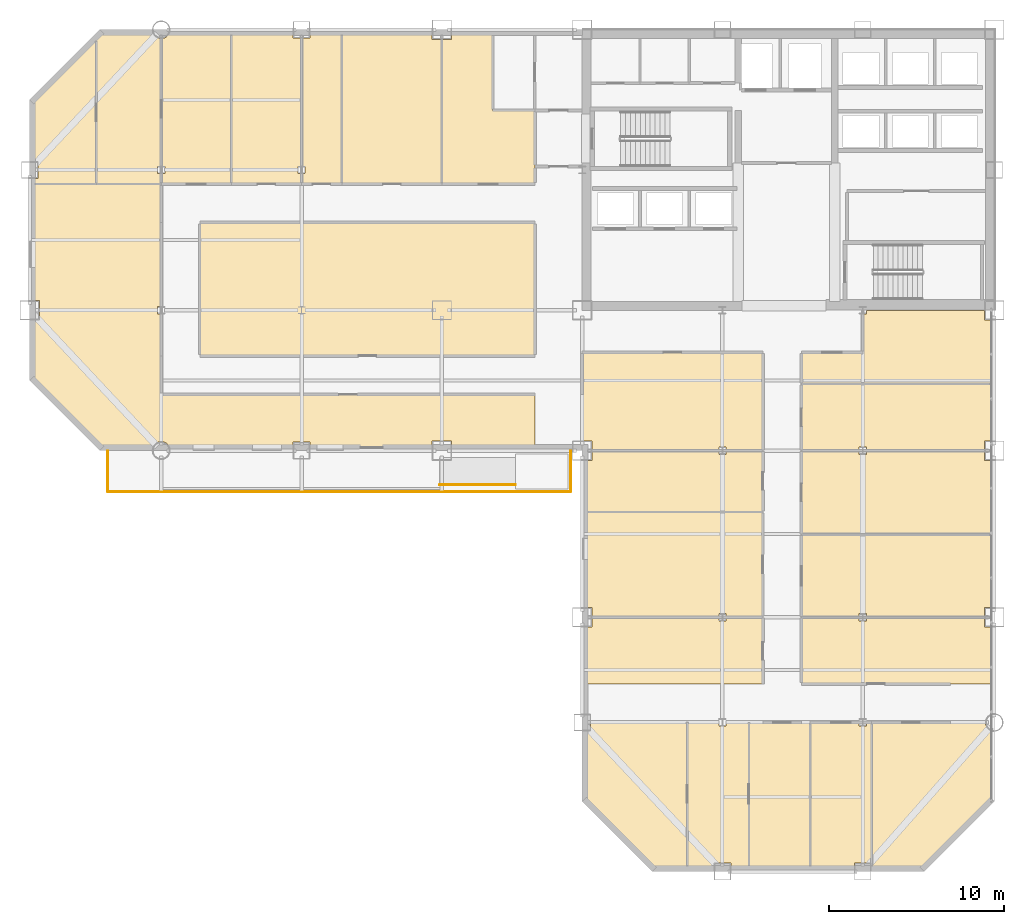
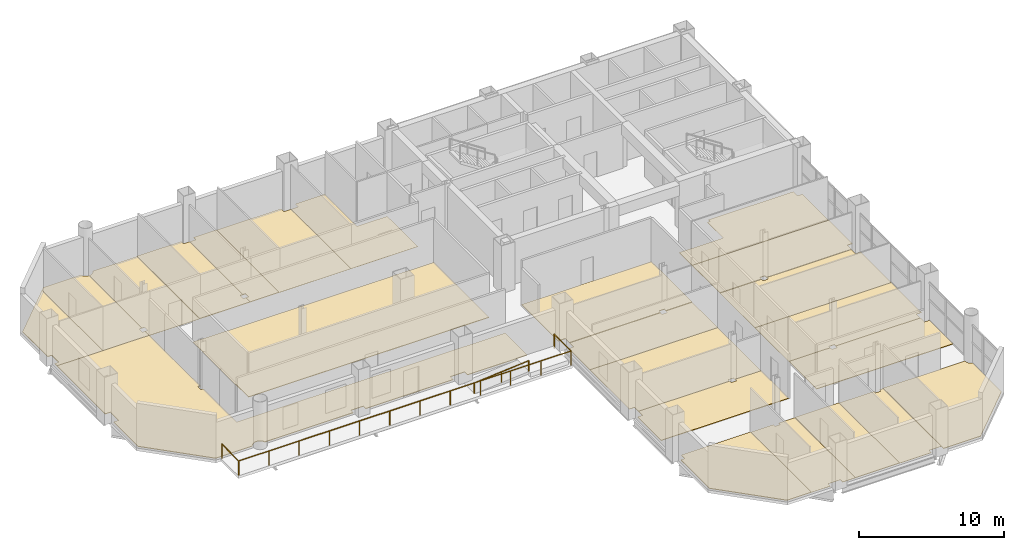
# One storey, part 15 of 16: 23 coverings, 2 railings.
"""IFC4 building model written with IfcOpenShell, lengths in metres."""

from ifc_helpers import new_model, si_unit, direction, frame, origin, origin_2d, place, context, subcontext, project, spatial, polyline, circle, outline, extrude, material, layer, layer_set, type_object, element, save


model = new_model("IFC4")

# Units and contexts
model_context = context("Model", 3, precision=1e-05, world=origin(), true_north=direction((0.0, 1.0)))
body_context = subcontext(model_context, "Body", "Model", "MODEL_VIEW")
ifc_project = project(units=[si_unit("LENGTHUNIT", "METRE"), si_unit("AREAUNIT", "SQUARE_METRE"), si_unit("VOLUMEUNIT", "CUBIC_METRE"), si_unit("PLANEANGLEUNIT", "RADIAN"), si_unit("MASSUNIT", "GRAM", prefix="KILO")], contexts=[model_context])

# Site, building, storey
site_placement = place(None, origin())
site = spatial("IfcSite", under=ifc_project, at=site_placement, CompositionType="ELEMENT")
building_placement = place(site_placement, origin())
building = spatial("IfcBuilding", under=site, at=building_placement, Name="Qianrong Seaharbour Tower", CompositionType="ELEMENT")
storey_placement = place(building_placement, frame((0.0, 0.0, 123.0)))
storey = spatial("IfcBuildingStorey", under=building, at=storey_placement, Name="L29", CompositionType="ELEMENT", Elevation=123.0)

# Coverings
ifc_material_1 = material(Name="Acoustic modular carpet tile flooring")
ifc_layer_1 = layer(ifc_material_1, 0.02001953125)
ifc_layer_set_1 = layer_set([ifc_layer_1], Name="Acoustic modular carpet tile flooring")
covering_type_1 = type_object("IfcCoveringType", Name="COV-FLOOR-CARPET-20", PredefinedType="FLOORING", material=ifc_layer_set_1)
covering_1_placement = place(storey_placement, origin())
element("IfcCovering", 1, at=covering_1_placement, inside=storey, type_object=covering_type_1, Name="L29 Focus Room 2 Finish Flooring", PredefinedType="FLOORING", context=body_context, shape_type="SweptSolid", body=[
    extrude(outline(polyline([(12.800048828125, 51.566650390625), (13.068359375, 51.8349609375), (16.019775390625, 51.8349609375), (16.02880859375, 51.8046875), (16.075927734375, 51.716796875), (16.139404296875, 51.639404296875), (16.216796875, 51.575927734375), (16.3046875, 51.52880859375), (16.400390625, 51.499755859375), (16.5, 51.489990234375), (16.5, 44.2099609375), (16.2900390625, 44.2099609375), (16.2900390625, 43.7900390625), (16.5, 43.7900390625), (16.5, 43.199951171875), (12.800048828125, 43.199951171875), (12.800048828125, 51.566650390625)])), origin(), (0.0, 0.0, 1.0), 0.02001953125),
])
covering_2_placement = place(storey_placement, origin())
element("IfcCovering", 2, at=covering_2_placement, inside=storey, type_object=covering_type_1, Name="L29 Meeting Room 3 Finish Flooring", PredefinedType="FLOORING", context=body_context, shape_type="SweptSolid", body=[
    extrude(outline(polyline([(16.5, 43.7900390625), (16.7099609375, 43.7900390625), (16.7099609375, 44.2099609375), (16.5, 44.2099609375), (16.5, 51.489990234375), (16.599609375, 51.499755859375), (16.6953125, 51.52880859375), (16.783203125, 51.575927734375), (16.860595703125, 51.639404296875), (16.924072265625, 51.716796875), (16.97119140625, 51.8046875), (16.980224609375, 51.8349609375), (20.5, 51.8349609375), (20.5, 43.199951171875), (16.5, 43.199951171875), (16.5, 43.7900390625)])), origin(), (0.0, 0.0, 1.0), 0.02001953125),
])
covering_3_placement = place(storey_placement, origin())
element("IfcCovering", 3, at=covering_3_placement, inside=storey, type_object=covering_type_1, Name="L29 Focus Room 6 Finish Flooring", PredefinedType="FLOORING", context=body_context, shape_type="SweptSolid", body=[
    extrude(outline(polyline([(26.800048828125, 51.8349609375), (31.93994140625, 51.8349609375), (31.93994140625, 51.43994140625), (32.5, 51.43994140625), (32.5, 43.199951171875), (26.800048828125, 43.199951171875), (26.800048828125, 51.8349609375)])), origin(), (0.0, 0.0, 1.0), 0.02001953125),
])
covering_4_placement = place(storey_placement, origin())
element("IfcCovering", 4, at=covering_4_placement, inside=storey, type_object=covering_type_1, Name="L29 Meeting Room 7 Finish Flooring", PredefinedType="FLOORING", context=body_context, shape_type="SweptSolid", body=[
    extrude(outline(polyline([(32.5, 51.43994140625), (33.06005859375, 51.43994140625), (33.06005859375, 51.8349609375), (35.39990234375, 51.8349609375), (35.39990234375, 47.39990234375), (37.800048828125, 47.39990234375), (37.800048828125, 43.199951171875), (32.5, 43.199951171875), (32.5, 51.43994140625)])), origin(), (0.0, 0.0, 1.0), 0.02001953125),
])
covering_5_placement = place(storey_placement, origin())
element("IfcCovering", 5, at=covering_5_placement, inside=storey, type_object=covering_type_1, Name="L29 Boardroom 2 Finish Flooring", PredefinedType="FLOORING", context=body_context, shape_type="SweptSolid", body=[
    extrude(outline(polyline([(63.8349609375, 23.199951171875), (63.8349609375, 19.06005859375), (63.43994140625, 19.06005859375), (63.43994140625, 18.5), (56.7099609375, 18.5), (56.7099609375, 18.7099609375), (56.2900390625, 18.7099609375), (56.2900390625, 18.5), (53.0, 18.5), (53.0, 23.199951171875), (63.8349609375, 23.199951171875)])), origin(), (0.0, 0.0, 1.0), 0.02001953125),
])
covering_6_placement = place(storey_placement, origin())
element("IfcCovering", 6, at=covering_6_placement, inside=storey, type_object=covering_type_1, Name="L29 Focus Room 3 Finish Flooring", PredefinedType="FLOORING", context=body_context, shape_type="SweptSolid", body=[
    extrude(outline(polyline([(56.2900390625, 28.0), (56.2900390625, 27.7900390625), (56.7099609375, 27.7900390625), (56.7099609375, 28.0), (63.43994140625, 28.0), (63.43994140625, 27.43994140625), (63.8349609375, 27.43994140625), (63.8349609375, 23.199951171875), (53.0, 23.199951171875), (53.0, 28.0), (56.2900390625, 28.0)])), origin(), (0.0, 0.0, 1.0), 0.02001953125),
])
covering_7_placement = place(storey_placement, origin())
element("IfcCovering", 7, at=covering_7_placement, inside=storey, type_object=covering_type_1, Name="L29 Boardroom 5 Finish Flooring", PredefinedType="FLOORING", context=body_context, shape_type="SweptSolid", body=[
    extrude(outline(polyline([(56.5, 33.60009765625), (56.5, 35.7900390625), (56.7099609375, 35.7900390625), (56.7099609375, 36.0), (63.43994140625, 36.0), (63.43994140625, 35.43994140625), (63.8349609375, 35.43994140625), (63.8349609375, 31.800048828125), (53.0, 31.800048828125), (53.0, 33.60009765625), (56.5, 33.60009765625)])), origin(), (0.0, 0.0, 1.0), 0.02001953125),
])
covering_8_placement = place(storey_placement, origin())
element("IfcCovering", 8, at=covering_8_placement, inside=storey, type_object=covering_type_1, Name="L29 Wet Pantry 2 Finish Flooring", PredefinedType="FLOORING", context=body_context, shape_type="SweptSolid", body=[
    extrude(outline(polyline([(48.7099609375, 18.5), (48.7099609375, 18.7099609375), (48.2900390625, 18.7099609375), (48.2900390625, 18.5), (41.06005859375, 18.5), (41.06005859375, 19.06005859375), (40.6650390625, 19.06005859375), (40.6650390625, 24.5), (50.800048828125, 24.5), (50.800048828125, 18.5), (48.7099609375, 18.5)])), origin(), (0.0, 0.0, 1.0), 0.02001953125),
])
covering_9_placement = place(storey_placement, origin())
element("IfcCovering", 9, at=covering_9_placement, inside=storey, type_object=covering_type_1, Name="L29 Focus Room 3 Finish Flooring", PredefinedType="FLOORING", context=body_context, shape_type="SweptSolid", body=[
    extrude(outline(polyline([(40.6650390625, 24.5), (40.6650390625, 27.43994140625), (41.06005859375, 27.43994140625), (41.06005859375, 28.0), (48.2900390625, 28.0), (48.2900390625, 27.7900390625), (48.7099609375, 27.7900390625), (48.7099609375, 28.0), (50.800048828125, 28.0), (50.800048828125, 24.5), (40.6650390625, 24.5)])), origin(), (0.0, 0.0, 1.0), 0.02001953125),
])
covering_10_placement = place(storey_placement, origin())
element("IfcCovering", 10, at=covering_10_placement, inside=storey, type_object=covering_type_1, Name="L29 Meeting Room 2 Finish Flooring", PredefinedType="FLOORING", context=body_context, shape_type="SweptSolid", body=[
    extrude(outline(polyline([(50.0, 4.1650390625), (48.985107421875, 4.1650390625), (48.985107421875, 4.485107421875), (48.014892578125, 4.485107421875), (48.014892578125, 4.1650390625), (46.5, 4.1650390625), (46.5, 12.5), (48.2900390625, 12.5), (48.2900390625, 12.2900390625), (48.7099609375, 12.2900390625), (48.7099609375, 12.5), (50.0, 12.5), (50.0, 4.1650390625)])), origin(), (0.0, 0.0, 1.0), 0.02001953125),
])
covering_11_placement = place(storey_placement, origin())
element("IfcCovering", 11, at=covering_11_placement, inside=storey, type_object=covering_type_1, Name="L29 Meeting Room 4 Finish Flooring", PredefinedType="FLOORING", context=body_context, shape_type="SweptSolid", body=[
    extrude(outline(polyline([(57.0, 4.485107421875), (56.014892578125, 4.485107421875), (56.014892578125, 4.1650390625), (53.5, 4.1650390625), (53.5, 12.5), (56.2900390625, 12.5), (56.2900390625, 12.2900390625), (56.7099609375, 12.2900390625), (56.7099609375, 12.5), (57.0, 12.5), (57.0, 4.485107421875)])), origin(), (0.0, 0.0, 1.0), 0.02001953125),
])
ifc_material_2 = material(Name="Calcium-sulphate raised access floor tile")
ifc_layer_2 = layer(ifc_material_2, 0.044921875)
ifc_layer_set_2 = layer_set([ifc_layer_2], Name="Calcium-sulphate raised access floor tile")
covering_type_2 = type_object("IfcCoveringType", Name="COV-FLOOR-RAISED-45", PredefinedType="FLOORING", material=ifc_layer_set_2)
covering_12_placement = place(storey_placement, origin())
element("IfcCovering", 12, at=covering_12_placement, inside=storey, type_object=covering_type_2, Name="L29 Open-Plan Office Finish Flooring", PredefinedType="FLOORING", context=body_context, shape_type="SweptSolid", body=[
    extrude(outline(polyline([(33.06005859375, 28.1650390625), (33.06005859375, 28.56005859375), (31.93994140625, 28.56005859375), (31.93994140625, 28.1650390625), (24.985107421875, 28.1650390625), (24.985107421875, 28.485107421875), (24.014892578125, 28.485107421875), (24.014892578125, 28.1650390625), (16.980224609375, 28.1650390625), (16.97119140625, 28.1953125), (16.924072265625, 28.283203125), (16.860595703125, 28.360595703125), (16.783203125, 28.424072265625), (16.6953125, 28.47119140625), (16.599609375, 28.500244140625), (16.5, 28.510009765625), (16.400390625, 28.500244140625), (16.3046875, 28.47119140625), (16.216796875, 28.424072265625), (16.139404296875, 28.360595703125), (16.075927734375, 28.283203125), (16.02880859375, 28.1953125), (16.019775390625, 28.1650390625), (13.068359375, 28.1650390625), (9.1650390625, 32.068359375), (9.1650390625, 35.43994140625), (9.56005859375, 35.43994140625), (9.56005859375, 36.56005859375), (9.1650390625, 36.56005859375), (9.1650390625, 43.199951171875), (16.5, 43.199951171875), (16.5, 36.2099609375), (16.2900390625, 36.2099609375), (16.2900390625, 35.7900390625), (16.5, 35.7900390625), (16.5, 31.199951171875), (37.800048828125, 31.199951171875), (37.800048828125, 28.1650390625), (33.06005859375, 28.1650390625)])), origin(), (0.0, 0.0, 1.0), 0.044921875),
])
covering_13_placement = place(storey_placement, origin())
element("IfcCovering", 13, at=covering_13_placement, inside=storey, type_object=covering_type_2, Name="L29 West Wing Open-Plan Office Finish Flooring", PredefinedType="FLOORING", context=body_context, shape_type="SweptSolid", body=[
    extrude(outline(polyline([(37.800048828125, 41.0), (37.800048828125, 33.39990234375), (18.699951171875, 33.39990234375), (18.699951171875, 41.0), (37.800048828125, 41.0)])), origin(), (0.0, 0.0, 1.0), 0.044921875),
])
covering_14_placement = place(storey_placement, origin())
element("IfcCovering", 14, at=covering_14_placement, inside=storey, type_object=covering_type_2, Name="L29 Executive Office 1 Finish Flooring", PredefinedType="FLOORING", context=body_context, shape_type="SweptSolid", body=[
    extrude(outline(polyline([(9.1650390625, 43.514892578125), (9.485107421875, 43.514892578125), (9.485107421875, 44.485107421875), (9.1650390625, 44.485107421875), (9.1650390625, 47.931640625), (12.800048828125, 51.566650390625), (12.800048828125, 43.199951171875), (9.1650390625, 43.199951171875), (9.1650390625, 43.514892578125)])), origin(), (0.0, 0.0, 1.0), 0.044921875),
])
covering_15_placement = place(storey_placement, origin())
element("IfcCovering", 15, at=covering_15_placement, inside=storey, type_object=covering_type_2, Name="L29 Executive Office 4 Finish Flooring", PredefinedType="FLOORING", context=body_context, shape_type="SweptSolid", body=[
    extrude(outline(polyline([(20.5, 51.8349609375), (24.014892578125, 51.8349609375), (24.014892578125, 51.514892578125), (24.5, 51.514892578125), (24.5, 44.2099609375), (24.2900390625, 44.2099609375), (24.2900390625, 43.7900390625), (24.5, 43.7900390625), (24.5, 43.199951171875), (20.5, 43.199951171875), (20.5, 51.8349609375)])), origin(), (0.0, 0.0, 1.0), 0.044921875),
])
covering_16_placement = place(storey_placement, origin())
element("IfcCovering", 16, at=covering_16_placement, inside=storey, type_object=covering_type_2, Name="L29 Executive Office 5 Finish Flooring", PredefinedType="FLOORING", context=body_context, shape_type="SweptSolid", body=[
    extrude(outline(polyline([(24.5, 43.7900390625), (24.7099609375, 43.7900390625), (24.7099609375, 44.2099609375), (24.5, 44.2099609375), (24.5, 51.514892578125), (24.985107421875, 51.514892578125), (24.985107421875, 51.8349609375), (26.800048828125, 51.8349609375), (26.800048828125, 43.199951171875), (24.5, 43.199951171875), (24.5, 43.7900390625)])), origin(), (0.0, 0.0, 1.0), 0.044921875),
])
covering_17_placement = place(storey_placement, origin())
element("IfcCovering", 17, at=covering_17_placement, inside=storey, type_object=covering_type_2, Name="L29 Executive Office 1 Finish Flooring", PredefinedType="FLOORING", context=body_context, shape_type="SweptSolid", body=[
    extrude(outline(polyline([(56.2900390625, 18.5), (56.2900390625, 18.2900390625), (56.7099609375, 18.2900390625), (56.7099609375, 18.5), (63.43994140625, 18.5), (63.43994140625, 17.93994140625), (63.8349609375, 17.93994140625), (63.8349609375, 14.699951171875), (53.0, 14.699951171875), (53.0, 18.5), (56.2900390625, 18.5)])), origin(), (0.0, 0.0, 1.0), 0.044921875),
])
covering_18_placement = place(storey_placement, origin())
element("IfcCovering", 18, at=covering_18_placement, inside=storey, type_object=covering_type_2, Name="L29 Executive Office 4 Finish Flooring", PredefinedType="FLOORING", context=body_context, shape_type="SweptSolid", body=[
    extrude(outline(polyline([(63.8349609375, 31.800048828125), (63.8349609375, 28.56005859375), (63.43994140625, 28.56005859375), (63.43994140625, 28.0), (56.7099609375, 28.0), (56.7099609375, 28.2099609375), (56.2900390625, 28.2099609375), (56.2900390625, 28.0), (53.0, 28.0), (53.0, 31.800048828125), (63.8349609375, 31.800048828125)])), origin(), (0.0, 0.0, 1.0), 0.044921875),
])
covering_19_placement = place(storey_placement, origin())
element("IfcCovering", 19, at=covering_19_placement, inside=storey, type_object=covering_type_2, Name="L29 Executive Office 1 Finish Flooring", PredefinedType="FLOORING", context=body_context, shape_type="SweptSolid", body=[
    extrude(outline(polyline([(40.6650390625, 14.699951171875), (40.6650390625, 17.93994140625), (41.06005859375, 17.93994140625), (41.06005859375, 18.5), (48.2900390625, 18.5), (48.2900390625, 18.2900390625), (48.7099609375, 18.2900390625), (48.7099609375, 18.5), (50.800048828125, 18.5), (50.800048828125, 14.699951171875), (40.6650390625, 14.699951171875)])), origin(), (0.0, 0.0, 1.0), 0.044921875),
])
covering_20_placement = place(storey_placement, origin())
element("IfcCovering", 20, at=covering_20_placement, inside=storey, type_object=covering_type_2, Name="L29 Executive Office 4 Finish Flooring", PredefinedType="FLOORING", context=body_context, shape_type="SweptSolid", body=[
    extrude(outline(polyline([(50.800048828125, 28.0), (48.7099609375, 28.0), (48.7099609375, 28.2099609375), (48.2900390625, 28.2099609375), (48.2900390625, 28.0), (41.06005859375, 28.0), (41.06005859375, 28.56005859375), (40.5, 28.56005859375), (40.5, 33.60009765625), (50.800048828125, 33.60009765625), (50.800048828125, 28.0)])), origin(), (0.0, 0.0, 1.0), 0.044921875),
])
covering_21_placement = place(storey_placement, origin())
element("IfcCovering", 21, at=covering_21_placement, inside=storey, type_object=covering_type_2, Name="L29 Executive Office 1 Finish Flooring", PredefinedType="FLOORING", context=body_context, shape_type="SweptSolid", body=[
    extrude(outline(polyline([(44.568359375, 4.1650390625), (40.6650390625, 8.068359375), (40.6650390625, 12.014892578125), (40.985107421875, 12.014892578125), (40.985107421875, 12.5), (46.5, 12.5), (46.5, 4.1650390625), (44.568359375, 4.1650390625)])), origin(), (0.0, 0.0, 1.0), 0.044921875),
])
covering_22_placement = place(storey_placement, origin())
element("IfcCovering", 22, at=covering_22_placement, inside=storey, type_object=covering_type_2, Name="L29 Executive Office 3 Finish Flooring", PredefinedType="FLOORING", context=body_context, shape_type="SweptSolid", body=[
    extrude(outline(polyline([(53.5, 4.1650390625), (50.0, 4.1650390625), (50.0, 12.5), (53.5, 12.5), (53.5, 4.1650390625)])), origin(), (0.0, 0.0, 1.0), 0.044921875),
])
covering_23_placement = place(storey_placement, origin())
element("IfcCovering", 23, at=covering_23_placement, inside=storey, type_object=covering_type_2, Name="L29 Executive Office 5 Finish Flooring", PredefinedType="FLOORING", context=body_context, shape_type="SweptSolid", body=[
    extrude(outline(polyline([(63.8349609375, 8.068359375), (59.931640625, 4.1650390625), (57.0, 4.1650390625), (57.0, 12.5), (63.489990234375, 12.5), (63.499755859375, 12.400390625), (63.52880859375, 12.3046875), (63.575927734375, 12.216796875), (63.639404296875, 12.139404296875), (63.716796875, 12.075927734375), (63.8046875, 12.02880859375), (63.8349609375, 12.019775390625), (63.8349609375, 8.068359375)])), origin(), (0.0, 0.0, 1.0), 0.044921875),
])

# Railings
ifc_material_3 = material(Name="Stainless steel SUS316L tubular handrail", Category="steel")
railing_type_1 = type_object("IfcRailingType", Name="RAIL-RAMP-HANDRAIL-900", PredefinedType="HANDRAIL", material=ifc_material_3)
railing_1_placement = place(storey_placement, frame((32.3798828125, 26.050048828125, 0.0)))
element("IfcRailing", 24, at=railing_1_placement, inside=storey, type_object=railing_type_1, Name="L29 Harbourfront Ribbon Ramp Handrail", PredefinedType="HANDRAIL", context=body_context, shape_type="SweptSolid", body=[
    extrude(circle(Radius=0.02392578125, at=origin_2d()), frame((0.0, 0.0, 0.8759765625), z_axis=(0.996543815979, 0.0, 0.083068783756), x_axis=(0.0, 1.0, 0.0)), (0.0, 0.0, 1.0), 4.3349609375),
    extrude(circle(Radius=0.02099609375, at=origin_2d()), origin(), (0.0, 0.0, 1.0), 0.851806640625),
    extrude(circle(Radius=0.02099609375, at=origin_2d()), frame((2.16015625, 0.0, 0.18017578125)), (0.0, 0.0, 1.0), 0.851806640625),
    extrude(circle(Radius=0.02099609375, at=origin_2d()), frame((4.320068359375, 0.0, 0.360107421875)), (0.0, 0.0, 1.0), 0.851806640625),
])
ifc_material_4 = material(Name="Stainless steel SUS316L and laminated safety glass balustrade", Category="steel")
railing_type_2 = type_object("IfcRailingType", Name="RAIL-TERRACE-GUARD-1220", PredefinedType="GUARDRAIL", material=ifc_material_4)
railing_2_placement = place(storey_placement, frame((13.4599609375, 27.97998046875, 0.0)))
element("IfcRailing", 25, at=railing_2_placement, inside=storey, type_object=railing_type_2, Name="L29 Harbourfront Ribbon Gallery Guardrail", PredefinedType="GUARDRAIL", context=body_context, shape_type="SweptSolid", body=[
    extrude(circle(Radius=0.02392578125, at=origin_2d()), frame((0.0, 0.0, 1.19580078125), z_axis=(0.0, -1.0, 0.0), x_axis=(1.0, 0.0, 0.0)), (0.0, 0.0, 1.0), 2.320068359375),
    extrude(circle(Radius=0.02392578125, at=origin_2d()), frame((0.0, -2.320068359375, 1.19580078125), z_axis=(1.0, 0.0, 0.0), x_axis=(0.0, 1.0, 0.0)), (0.0, 0.0, 1.0), 26.380126953125),
    extrude(circle(Radius=0.02392578125, at=origin_2d()), frame((26.380126953125, -2.320068359375, 1.19580078125), z_axis=(0.0, 1.0, 0.0), x_axis=(-1.0, 0.0, 0.0)), (0.0, 0.0, 1.0), 2.320068359375),
    extrude(circle(Radius=0.02099609375, at=origin_2d()), origin(), (0.0, 0.0, 1.0), 1.171875),
    extrude(circle(Radius=0.02099609375, at=origin_2d()), frame((0.0, -2.320068359375, 0.0)), (0.0, 0.0, 1.0), 1.171875),
    extrude(circle(Radius=0.02099609375, at=origin_2d()), frame((2.398193359375, -2.320068359375, 0.0)), (0.0, 0.0, 1.0), 1.171875),
    extrude(circle(Radius=0.02099609375, at=origin_2d()), frame((4.79638671875, -2.320068359375, 0.0)), (0.0, 0.0, 1.0), 1.171875),
    extrude(circle(Radius=0.02099609375, at=origin_2d()), frame((7.194580078125, -2.320068359375, 0.0)), (0.0, 0.0, 1.0), 1.171875),
    extrude(circle(Radius=0.02099609375, at=origin_2d()), frame((9.5927734375, -2.320068359375, 0.0)), (0.0, 0.0, 1.0), 1.171875),
    extrude(circle(Radius=0.02099609375, at=origin_2d()), frame((11.990966796875, -2.320068359375, 0.0)), (0.0, 0.0, 1.0), 1.171875),
    extrude(circle(Radius=0.02099609375, at=origin_2d()), frame((14.38916015625, -2.320068359375, 0.0)), (0.0, 0.0, 1.0), 1.171875),
    extrude(circle(Radius=0.02099609375, at=origin_2d()), frame((16.787353515625, -2.320068359375, 0.0)), (0.0, 0.0, 1.0), 1.171875),
    extrude(circle(Radius=0.02099609375, at=origin_2d()), frame((19.185546875, -2.320068359375, 0.0)), (0.0, 0.0, 1.0), 1.171875),
    extrude(circle(Radius=0.02099609375, at=origin_2d()), frame((21.583740234375, -2.320068359375, 0.0)), (0.0, 0.0, 1.0), 1.171875),
    extrude(circle(Radius=0.02099609375, at=origin_2d()), frame((23.98193359375, -2.320068359375, 0.0)), (0.0, 0.0, 1.0), 1.171875),
    extrude(circle(Radius=0.02099609375, at=origin_2d()), frame((26.380126953125, -2.320068359375, 0.0)), (0.0, 0.0, 1.0), 1.171875),
    extrude(circle(Radius=0.02099609375, at=origin_2d()), frame((26.380126953125, 0.0, 0.0)), (0.0, 0.0, 1.0), 1.171875),
])

save(model, "model.ifc")
